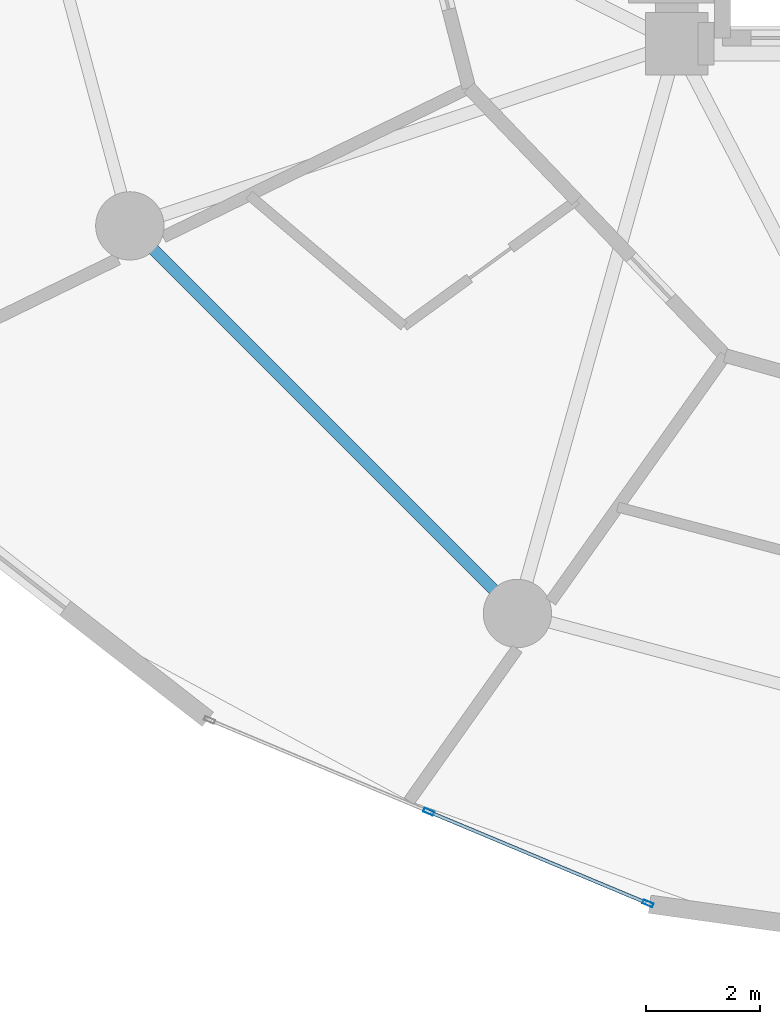
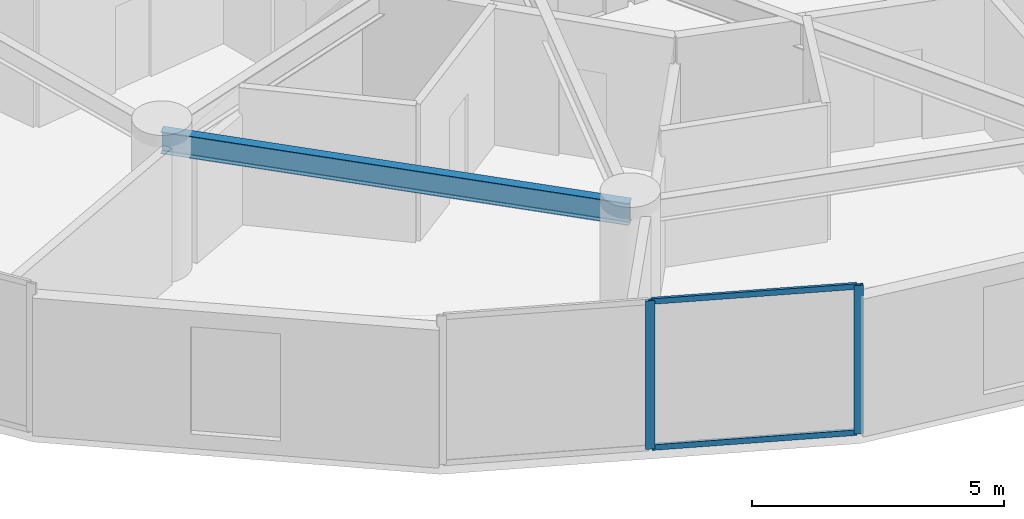
# One storey, part 4 of 25: 4 members, 1 beam, 1 element without a shape of its own.
"""IFC4 building model written with IfcOpenShell, lengths in metres."""

from ifc_helpers import new_model, si_unit, direction, frame, origin, origin_2d, place, context, subcontext, project, spatial, hollow_rectangle, i_section, extrude, source, transform, mapped, material, layer, layer_set, material_profile, profile_set, type_object, element, aggregate, save


model = new_model("IFC4")

# Units and contexts
model_context = context("Model", 3, precision=1e-05, world=origin(), true_north=direction((0.0, 1.0)))
body_context = subcontext(model_context, "Body", "Model", "MODEL_VIEW")
ifc_project = project(units=[si_unit("LENGTHUNIT", "METRE"), si_unit("AREAUNIT", "SQUARE_METRE"), si_unit("VOLUMEUNIT", "CUBIC_METRE"), si_unit("PLANEANGLEUNIT", "RADIAN"), si_unit("MASSUNIT", "GRAM", prefix="KILO")], contexts=[model_context])

# Site, building, storey
site_placement = place(None, origin())
site = spatial("IfcSite", under=ifc_project, at=site_placement, CompositionType="ELEMENT")
building_placement = place(site_placement, origin())
building = spatial("IfcBuilding", under=site, at=building_placement, Name="Solvirekh Grand Hotel", CompositionType="ELEMENT")
storey_placement = place(building_placement, frame((0.0, 0.0, 60.800048828125)))
storey = spatial("IfcBuildingStorey", under=building, at=storey_placement, Name="L14", CompositionType="ELEMENT", Elevation=60.800048828125)

# Beam
ifc_material_1 = material(Name="Steel S355", Category="steel")
ifc_material_profile_1 = material_profile(ifc_material_1, i_section(OverallWidth=0.208984375, OverallDepth=0.532958984375, WebThickness=0.010009765625, FlangeThickness=0.014892578125, FilletRadius=0.013916015625, at=origin_2d()), Name="W530X92")
ifc_profile_set_1 = profile_set([ifc_material_profile_1], Name="Steel S355")
beam_type = type_object("IfcBeamType", Name="Spandrel_Ring_W530", PredefinedType="SPANDREL", material=ifc_profile_set_1)
beam_placement = place(storey_placement, frame((-16.10791015625, -9.300048828125, 3.072998046875), z_axis=(0.707106781187, -0.707106781187, 0.0), x_axis=(0.707106781187, 0.707106781187, 0.0)))
element("IfcBeam", 1, at=beam_placement, inside=storey, type_object=beam_type, Name="L14 perimeter spandrel beam 8", PredefinedType="SPANDREL", context=body_context, shape_type="SweptSolid", body=[
    extrude(i_section(OverallWidth=0.208984375, OverallDepth=0.532958984375, WebThickness=0.010009765625, FlangeThickness=0.014892578125, FilletRadius=0.013916015625, at=origin_2d()), origin(), (0.0, 0.0, 1.0), 9.627685546875),
])

# Curtain wall, members
ifc_material_2 = material(Name="Anodized Bronze Aluminium 6063-T6", Category="aluminium")
ifc_layer = layer(ifc_material_2, 0.18994140625)
ifc_layer_set = layer_set([ifc_layer], Name="Anodized Bronze Aluminium 6063-T6")
curtain_wall_type = type_object("IfcCurtainWallType", Name="CW_Sys2_LowZoneFlushBronzeCW", PredefinedType="NOTDEFINED", material=ifc_layer_set)
curtain_wall_placement = place(storey_placement, origin())
curtain_wall = element("IfcCurtainWall", 2, at=curtain_wall_placement, inside=storey, type_object=curtain_wall_type, Name="L14 unitised bronze-glass curtain wall CW-L14-C15", PredefinedType="NOTDEFINED")
ifc_material_profile_2 = material_profile(ifc_material_2, hollow_rectangle(XDim=0.06005859375, YDim=0.135009765625, WallThickness=0.00390625, at=origin_2d()), Name="ALU RHS 135X60X4")
ifc_profile_set_2 = profile_set([ifc_material_profile_2], Name="Anodized Bronze Aluminium 6063-T6")
member_type_1 = type_object("IfcMemberType", Name="CWTransom_Sys2", PredefinedType="USERDEFINED", material=ifc_profile_set_2)
shared_shape_1 = source(origin(), body_context, "Body", "SweptSolid", [
    extrude(hollow_rectangle(XDim=0.06005859375, YDim=0.135009765625, WallThickness=0.00390625, at=origin_2d()), origin(), (0.0, 0.0, 1.0), 4.1015625),
])
member_1_placement = place(storey_placement, frame((-10.8251953125, -19.603515625, 0.030029296875), z_axis=(0.922473526331, -0.386060349192, 0.0), x_axis=(0.386060349192, 0.922473526331, 0.0)))
member_1 = element("IfcMember", 3, at=member_1_placement, type_object=member_type_1, Name="U02 transom 2.1", ObjectType="TRANSOM", PredefinedType="USERDEFINED", context=body_context, shape_type="MappedRepresentation", body=[
    mapped(shared_shape_1, transform((0.0, 0.0, 0.0), x_axis=(1.0, 0.0, 0.0), y_axis=(0.0, 1.0, 0.0), z_axis=(0.0, 0.0, 1.0), scale=1.0)),
])
member_2_placement = place(storey_placement, frame((-10.8251953125, -19.603515625, 3.570068359375), z_axis=(0.922473526331, -0.386060349192, 0.0), x_axis=(0.386060349192, 0.922473526331, 0.0)))
member_2 = element("IfcMember", 4, at=member_2_placement, type_object=member_type_1, Name="U02 transom 2.2", ObjectType="TRANSOM", PredefinedType="USERDEFINED", context=body_context, shape_type="MappedRepresentation", body=[
    mapped(shared_shape_1, transform((0.0, 0.0, 0.0), x_axis=(1.0, 0.0, 0.0), y_axis=(0.0, 1.0, 0.0), z_axis=(0.0, 0.0, 1.0), scale=1.0)),
])
ifc_material_profile_3 = material_profile(ifc_material_2, hollow_rectangle(XDim=0.070068359375, YDim=0.18994140625, WallThickness=0.0048828125, at=origin_2d()), Name="ALU RHS 190X70X5")
ifc_profile_set_3 = profile_set([ifc_material_profile_3], Name="Anodized Bronze Aluminium 6063-T6")
member_type_2 = type_object("IfcMemberType", Name="CWMullion_Sys2", PredefinedType="MULLION", material=ifc_profile_set_3)
shared_shape_2 = source(origin(), body_context, "Body", "SweptSolid", [
    extrude(hollow_rectangle(XDim=0.070068359375, YDim=0.18994140625, WallThickness=0.0048828125, at=origin_2d()), origin(), (0.0, 0.0, 1.0), 3.599853515625),
])
member_3_placement = place(storey_placement, frame((-10.857421875, -19.590087890625, 0.0), z_axis=(0.0, 0.0, 1.0), x_axis=(0.38605811719, 0.922474460433, 0.0)))
member_3 = element("IfcMember", 5, at=member_3_placement, type_object=member_type_2, Name="U02 mullion 2", PredefinedType="MULLION", context=body_context, shape_type="MappedRepresentation", body=[
    mapped(shared_shape_2, transform((0.0, 0.0, 0.0), x_axis=(1.0, 0.0, 0.0), y_axis=(0.0, 1.0, 0.0), z_axis=(0.0, 0.0, 1.0), scale=1.0)),
])
member_4_placement = place(storey_placement, frame((-7.00927734375, -21.200439453125, 0.0), z_axis=(0.0, 0.0, 1.0), x_axis=(0.38605811719, 0.922474460433, 0.0)))
member_4 = element("IfcMember", 6, at=member_4_placement, type_object=member_type_2, Name="U02 mullion 3", PredefinedType="MULLION", context=body_context, shape_type="MappedRepresentation", body=[
    mapped(shared_shape_2, transform((0.0, 0.0, 0.0), x_axis=(1.0, 0.0, 0.0), y_axis=(0.0, 1.0, 0.0), z_axis=(0.0, 0.0, 1.0), scale=1.0)),
])
aggregate(curtain_wall, [member_3, member_4, member_1, member_2])

save(model, "model.ifc")
